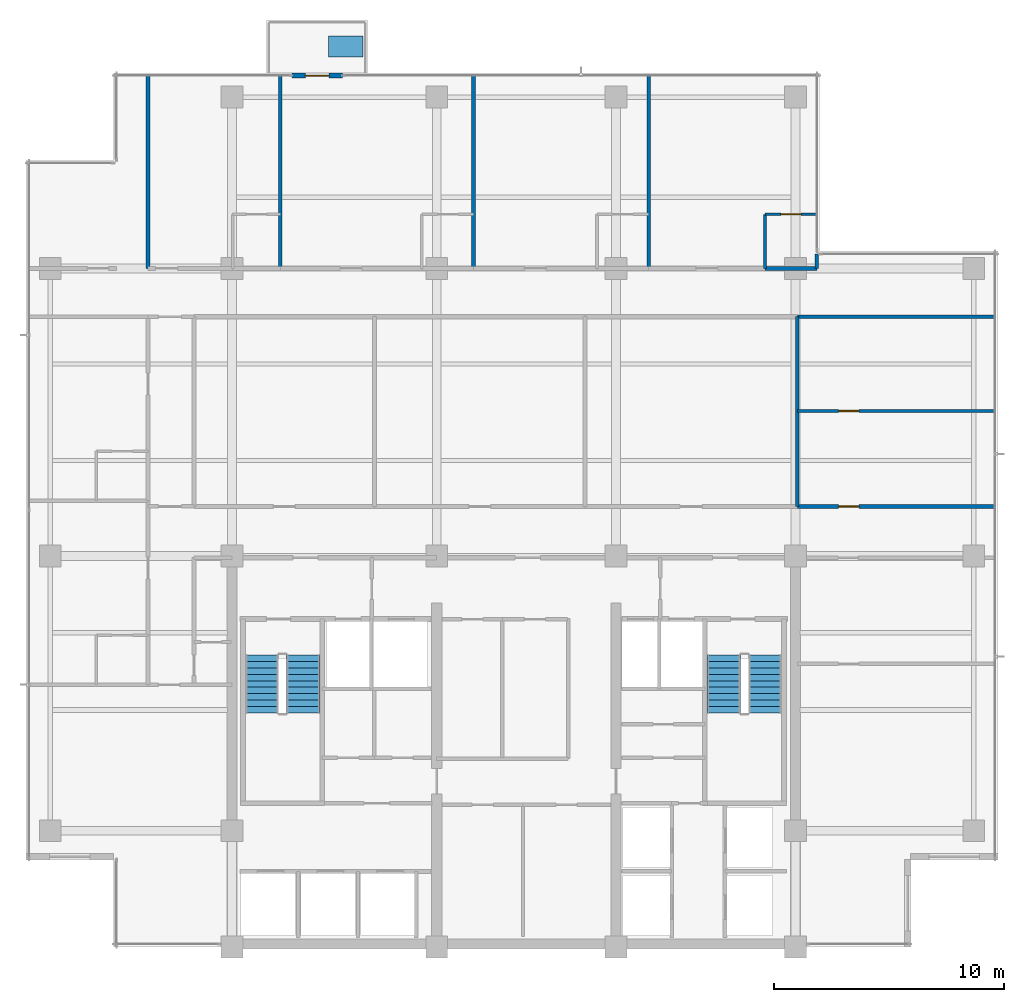
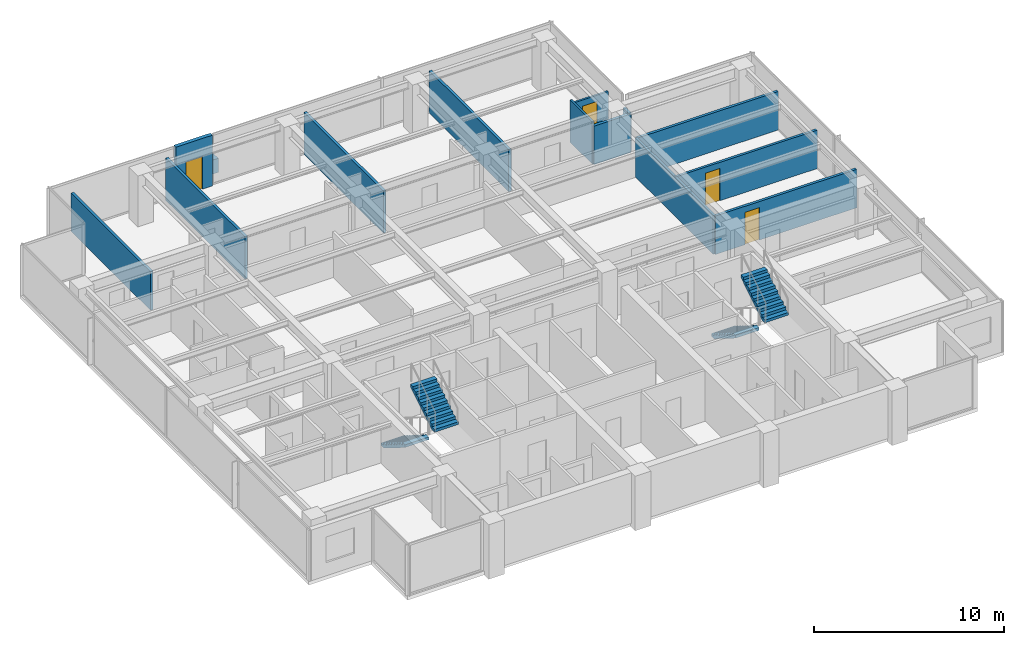
# One storey, part 10 of 14: 13 walls, 4 doors, 4 stair flights, 1 discrete accessory, 4 openings, 2 elements without a shape of their own.
"""IFC4 building model written with IfcOpenShell, lengths in metres."""

from ifc_helpers import new_model, si_unit, direction, frame, frame_2d, origin, place, context, subcontext, project, spatial, polyline, rectangle, outline, extrude, material, layer, layer_set, type_object, element, fill, aggregate, save


model = new_model("IFC4")

# Units and contexts
model_context = context("Model", 3, precision=1e-05, world=origin(), true_north=direction((0.0, 1.0)))
body_context = subcontext(model_context, "Body", "Model", "MODEL_VIEW")
ifc_project = project(units=[si_unit("LENGTHUNIT", "METRE"), si_unit("AREAUNIT", "SQUARE_METRE"), si_unit("VOLUMEUNIT", "CUBIC_METRE"), si_unit("PLANEANGLEUNIT", "RADIAN"), si_unit("MASSUNIT", "GRAM", prefix="KILO")], contexts=[model_context])

# Site, building, storey
site_placement = place(None, origin())
site = spatial("IfcSite", under=ifc_project, at=site_placement, CompositionType="ELEMENT")
building_placement = place(site_placement, origin())
building = spatial("IfcBuilding", under=site, at=building_placement, Name="Qalmaran Belvedere Hotel", CompositionType="ELEMENT")
storey_placement = place(building_placement, frame((0.0, 0.0, 210.89990234375)))
storey = spatial("IfcBuildingStorey", under=building, at=storey_placement, Name="L53", CompositionType="ELEMENT", Elevation=210.89990234375)

# Wall, opening, door
ifc_material_1 = material(Name="Anodised Bronze Cladding")
ifc_layer_1 = layer(ifc_material_1, 0.22509765625, Name="Anodised Bronze Cladding")
ifc_layer_set_1 = layer_set([ifc_layer_1], Name="Anodised Bronze Cladding")
wall_type_1 = type_object("IfcWallType", Name="WL-BAL-PORT-225", PredefinedType="SOLIDWALL", material=ifc_layer_set_1)
wall_1_placement = place(storey_placement, frame((22.89990234375, 41.3798828125, 0.0), z_axis=(0.0, 0.0, 1.0), x_axis=(1.0, 0.0, 0.0)))
wall_1 = element("IfcWall", 1, at=wall_1_placement, inside=storey, type_object=wall_type_1, Name="L53 Tree Balcony Door Portal", PredefinedType="SOLIDWALL", context=body_context, shape_type="SweptSolid", body=[
    extrude(rectangle(XDim=2.2001953125, YDim=0.22509765625, at=frame_2d((1.10009765625, 0.0))), origin(), (0.0, 0.0, 1.0), 3.260009765625),
])
opening_1_placement = place(wall_1_placement, frame((0.590087890625, 0.0, 0.0)))
opening_1 = element("IfcOpeningElement", 2, at=opening_1_placement, cuts=wall_1, Name="Opening BL-102", PredefinedType="OPENING", context=body_context, shape_type="SweptSolid", body=[
    extrude(rectangle(XDim=1.02001953125, YDim=2.10009765625, at=frame_2d((0.510009765625, 1.050048828125))), frame((0.0, 0.12255859375, 0.0), z_axis=(0.0, -1.0, 0.0), x_axis=(1.0, 0.0, 0.0)), (0.0, 0.0, 1.0), 0.2451171875),
])
ifc_material_2 = material(Name="Anodised Bronze Aluminium", Category="aluminium")
door_type_1 = type_object("IfcDoorType", Name="DR-BAL-1020X2100", OperationType="NOTDEFINED", PredefinedType="DOOR", material=ifc_material_2)
door_1_placement = place(opening_1_placement, origin())
door_1 = element("IfcDoor", 3, at=door_1_placement, inside=storey, type_object=door_type_1, Name="L53 Planted Tree Balcony Door", OperationType="SINGLE_SWING_RIGHT", OverallHeight=2.10009765625, OverallWidth=1.02001953125, PredefinedType="DOOR", context=body_context, shape_type="SweptSolid", body=[
    extrude(rectangle(XDim=1.02001953125, YDim=2.10009765625, at=frame_2d((0.510009765625, 1.050048828125))), frame((0.0, 0.02490234375, 0.0), z_axis=(0.0, -1.0, 0.0), x_axis=(1.0, 0.0, 0.0)), (0.0, 0.0, 1.0), 0.050048828125),
])
fill(opening_1, door_1)

ifc_material_3 = material(Name="Moisture-Resistant Gypsum")
ifc_layer_2 = layer(ifc_material_3, 0.1201171875, Name="Moisture-Resistant Gypsum")
ifc_layer_set_2 = layer_set([ifc_layer_2], Name="Moisture-Resistant Gypsum")
wall_type_2 = type_object("IfcWallType", Name="WL-INT-120-BATH", PredefinedType="PARTITIONING", material=ifc_layer_set_2)
wall_2_placement = place(storey_placement, frame((43.47998046875, 35.35009765625, 0.0), z_axis=(0.0, 0.0, 1.0), x_axis=(1.0, 0.0, 0.0)))
wall_2 = element("IfcWall", 4, at=wall_2_placement, inside=storey, type_object=wall_type_2, Name="L53 Partition WL-L53-NBN03", PredefinedType="PARTITIONING", context=body_context, shape_type="SweptSolid", body=[
    extrude(rectangle(XDim=2.25, YDim=0.1201171875, at=frame_2d((1.125, 0.0))), origin(), (0.0, 0.0, 1.0), 2.47216796875),
])
opening_2_placement = place(wall_2_placement, frame((1.56494140625, 0.0, 0.0), z_axis=(0.0, 0.0, 1.0), x_axis=(-1.0, 0.0, 0.0)))
opening_2 = element("IfcOpeningElement", 5, at=opening_2_placement, cuts=wall_2, Name="Opening D-BATH", PredefinedType="OPENING", context=body_context, shape_type="SweptSolid", body=[
    extrude(rectangle(XDim=0.8798828125, YDim=2.080078125, at=frame_2d((0.43994140625, 1.0400390625))), frame((0.0, 0.070068359375, 0.0), z_axis=(0.0, -1.0, 0.0), x_axis=(1.0, 0.0, 0.0)), (0.0, 0.0, 1.0), 0.14013671875),
])
ifc_material_4 = material(Name="Engineered Oak Veneer")
door_type_2 = type_object("IfcDoorType", Name="DR-INT-BATH-880X2080", OperationType="NOTDEFINED", PredefinedType="DOOR", material=ifc_material_4)
door_2_placement = place(opening_2_placement, origin())
door_2 = element("IfcDoor", 6, at=door_2_placement, inside=storey, type_object=door_type_2, Name="L53 Ensuite Bathroom Door N04", OperationType="SINGLE_SWING_RIGHT", OverallHeight=2.080078125, OverallWidth=0.8798828125, PredefinedType="DOOR", context=body_context, shape_type="SweptSolid", body=[
    extrude(rectangle(XDim=0.8798828125, YDim=2.080078125, at=frame_2d((0.43994140625, 1.0400390625))), frame((0.0, 0.02490234375, 0.0), z_axis=(0.0, -1.0, 0.0), x_axis=(1.0, 0.0, 0.0)), (0.0, 0.0, 1.0), 0.050048828125),
])
fill(opening_2, door_2)

# Wall
wall_3_placement = place(storey_placement, frame((43.47998046875, 33.0, 0.0), z_axis=(0.0, 0.0, 1.0), x_axis=(0.0, 1.0, 0.0)))
element("IfcWall", 7, at=wall_3_placement, inside=storey, type_object=wall_type_2, Name="L53 Partition WL-L53-NBS03", PredefinedType="PARTITIONING", context=body_context, shape_type="SweptSolid", body=[
    extrude(rectangle(XDim=2.35009765625, YDim=0.1201171875, at=frame_2d((1.175048828125, 0.0))), origin(), (0.0, 0.0, 1.0), 2.7060546875),
])

# Wall, opening, door
ifc_material_5 = material(Name="Gypsum Stud Partition")
ifc_layer_3 = layer(ifc_material_5, 0.14990234375, Name="Gypsum Stud Partition")
ifc_layer_set_3 = layer_set([ifc_layer_3], Name="Gypsum Stud Partition")
wall_type_3 = type_object("IfcWallType", Name="WL-INT-150-EI60", PredefinedType="PARTITIONING", material=ifc_layer_set_3)
wall_4_placement = place(storey_placement, frame((44.8798828125, 26.800048828125, 0.0), z_axis=(0.0, 0.0, 1.0), x_axis=(1.0, 0.0, 0.0)))
wall_4 = element("IfcWall", 8, at=wall_4_placement, inside=storey, type_object=wall_type_3, Name="L53 Partition WL-L53-ECEH2", PredefinedType="PARTITIONING", context=body_context, shape_type="SweptSolid", body=[
    extrude(rectangle(XDim=8.60009765625, YDim=0.14990234375, at=frame_2d((4.300048828125, 0.0))), origin(), (0.0, 0.0, 1.0), 2.47216796875),
])
opening_3_placement = place(wall_4_placement, frame((1.800048828125, 0.0, 0.0)))
opening_3 = element("IfcOpeningElement", 9, at=opening_3_placement, cuts=wall_4, Name="Opening FD60B", PredefinedType="OPENING", context=body_context, shape_type="SweptSolid", body=[
    extrude(rectangle(XDim=0.8798828125, YDim=2.080078125, at=frame_2d((0.43994140625, 1.0400390625))), frame((0.0, 0.0849609375, 0.0), z_axis=(0.0, -1.0, 0.0), x_axis=(1.0, 0.0, 0.0)), (0.0, 0.0, 1.0), 0.169921875),
])
ifc_material_6 = material(Name="Steel S355JR", Category="steel")
door_type_3 = type_object("IfcDoorType", Name="DR-FD60B-880X2080", OperationType="NOTDEFINED", PredefinedType="DOOR", material=ifc_material_6)
door_3_placement = place(opening_3_placement, origin())
door_3 = element("IfcDoor", 10, at=door_3_placement, inside=storey, type_object=door_type_3, Name="L53 East Meditation Door", OperationType="SINGLE_SWING_RIGHT", OverallHeight=2.080078125, OverallWidth=0.8798828125, PredefinedType="DOOR", context=body_context, shape_type="SweptSolid", body=[
    extrude(rectangle(XDim=0.8798828125, YDim=2.080078125, at=frame_2d((0.43994140625, 1.0400390625))), frame((0.0, 0.02490234375, 0.0), z_axis=(0.0, -1.0, 0.0), x_axis=(1.0, 0.0, 0.0)), (0.0, 0.0, 1.0), 0.050048828125),
])
fill(opening_3, door_3)

ifc_layer_4 = layer(ifc_material_5, 0.159912109375, Name="Gypsum Stud Partition")
ifc_layer_set_4 = layer_set([ifc_layer_4], Name="Gypsum Stud Partition")
wall_type_4 = type_object("IfcWallType", Name="WL-INT-160-EI60", PredefinedType="PARTITIONING", material=ifc_layer_set_4)
wall_5_placement = place(storey_placement, frame((44.8798828125, 22.64990234375, 0.0), z_axis=(0.0, 0.0, 1.0), x_axis=(1.0, 0.0, 0.0)))
wall_5 = element("IfcWall", 11, at=wall_5_placement, inside=storey, type_object=wall_type_4, Name="L53 Partition WL-L53-ECE2N", PredefinedType="PARTITIONING", context=body_context, shape_type="SweptSolid", body=[
    extrude(rectangle(XDim=8.60009765625, YDim=0.159912109375, at=frame_2d((4.300048828125, 0.0))), origin(), (0.0, 0.0, 1.0), 2.47216796875),
])
opening_4_placement = place(wall_5_placement, frame((1.800048828125, 0.0, 0.0)))
opening_4 = element("IfcOpeningElement", 12, at=opening_4_placement, cuts=wall_5, Name="Opening FD60B", PredefinedType="OPENING", context=body_context, shape_type="SweptSolid", body=[
    extrude(rectangle(XDim=0.8798828125, YDim=2.080078125, at=frame_2d((0.43994140625, 1.0400390625))), frame((0.0, 0.08984375, 0.0), z_axis=(0.0, -1.0, 0.0), x_axis=(1.0, 0.0, 0.0)), (0.0, 0.0, 1.0), 0.179931640625),
])
door_4_placement = place(opening_4_placement, origin())
door_4 = element("IfcDoor", 13, at=door_4_placement, inside=storey, type_object=door_type_3, Name="L53 East Fitness Door", OperationType="SINGLE_SWING_RIGHT", OverallHeight=2.080078125, OverallWidth=0.8798828125, PredefinedType="DOOR", context=body_context, shape_type="SweptSolid", body=[
    extrude(rectangle(XDim=0.8798828125, YDim=2.080078125, at=frame_2d((0.43994140625, 1.0400390625))), frame((0.0, 0.02490234375, 0.0), z_axis=(0.0, -1.0, 0.0), x_axis=(1.0, 0.0, 0.0)), (0.0, 0.0, 1.0), 0.050048828125),
])
fill(opening_4, door_4)

# Walls
wall_6_placement = place(storey_placement, frame((44.8798828125, 30.89990234375, 0.0), z_axis=(0.0, 0.0, 1.0), x_axis=(1.0, 0.0, 0.0)))
element("IfcWall", 14, at=wall_6_placement, inside=storey, type_object=wall_type_4, Name="L53 Partition WL-L53-ECEN", PredefinedType="PARTITIONING", context=body_context, shape_type="SweptSolid", body=[
    extrude(rectangle(XDim=8.60009765625, YDim=0.159912109375, at=frame_2d((4.300048828125, 0.0))), origin(), (0.0, 0.0, 1.0), 2.47216796875),
])
wall_7_placement = place(storey_placement, frame((44.8798828125, 22.64990234375, 0.0), z_axis=(0.0, 0.0, 1.0), x_axis=(0.0, 1.0, 0.0)))
element("IfcWall", 15, at=wall_7_placement, inside=storey, type_object=wall_type_4, Name="L53 Partition WL-L53-MIDVR3", PredefinedType="PARTITIONING", context=body_context, shape_type="SweptSolid", body=[
    extrude(rectangle(XDim=8.25, YDim=0.159912109375, at=frame_2d((4.125, 0.0))), origin(), (0.0, 0.0, 1.0), 2.47216796875),
])
wall_8_placement = place(storey_placement, frame((16.64990234375, 33.0, 0.0), z_axis=(0.0, 0.0, 1.0), x_axis=(0.0, 1.0, 0.0)))
element("IfcWall", 16, at=wall_8_placement, inside=storey, type_object=wall_type_4, Name="L53 Partition WL-L53-NUL", PredefinedType="PARTITIONING", context=body_context, shape_type="SweptSolid", body=[
    extrude(rectangle(XDim=8.3798828125, YDim=0.159912109375, at=frame_2d((4.18994140625, 0.0))), origin(), (0.0, 0.0, 1.0), 2.47216796875),
])
for number, where, z_axis, x_axis, name in (
    (17, (22.39990234375, 33.0, 0.0), (0.0, 0.0, 1.0), (0.0, 1.0, 0.0), "L53 Partition WL-L53-NUR00"),
    (18, (30.8046875, 33.0, 0.0), (0.0, 0.0, 1.0), (0.0, 1.0, 0.0), "L53 Partition WL-L53-NUR01"),
    (19, (38.419677734375, 33.0, 0.0), (0.0, 0.0, 1.0), (0.0, 1.0, 0.0), "L53 Partition WL-L53-NUR02"),
):
    element("IfcWall", number, at=place(storey_placement, frame(where, z_axis=z_axis, x_axis=x_axis)), inside=storey, type_object=wall_type_4, Name=name, PredefinedType="PARTITIONING", context=body_context, shape_type="SweptSolid", body=[
        extrude(rectangle(XDim=8.3798828125, YDim=0.159912109375, at=frame_2d((4.18994140625, 0.0))), origin(), (0.0, 0.0, 1.0), 2.7060546875),
    ])
wall_9_placement = place(storey_placement, frame((45.72998046875, 33.0, 0.0), z_axis=(0.0, 0.0, 1.0), x_axis=(0.0, 1.0, 0.0)))
element("IfcWall", 20, at=wall_9_placement, inside=storey, type_object=wall_type_4, Name="L53 Partition WL-L53-NUR03", PredefinedType="PARTITIONING", context=body_context, shape_type="SweptSolid", body=[
    extrude(rectangle(XDim=0.6298828125, YDim=0.159912109375, at=frame_2d((0.31494140625, 0.0))), origin(), (0.0, 0.0, 1.0), 2.47216796875),
])
ifc_layer_5 = layer(ifc_material_5, 0.179931640625, Name="Gypsum Stud Partition")
ifc_layer_set_5 = layer_set([ifc_layer_5], Name="Gypsum Stud Partition")
wall_type_5 = type_object("IfcWallType", Name="WL-INT-180-EI60", PredefinedType="PARTITIONING", material=ifc_layer_set_5)
wall_10_placement = place(storey_placement, frame((43.47998046875, 33.0, 0.0), z_axis=(0.0, 0.0, 1.0), x_axis=(1.0, 0.0, 0.0)))
element("IfcWall", 21, at=wall_10_placement, inside=storey, type_object=wall_type_5, Name="L53 Partition WL-L53-NBC03", PredefinedType="PARTITIONING", context=body_context, shape_type="SweptSolid", body=[
    extrude(rectangle(XDim=2.25, YDim=0.179931640625, at=frame_2d((1.125, 0.0))), origin(), (0.0, 0.0, 1.0), 2.47216796875),
])

# Stair, stair flights
ifc_material_7 = material(Name="Concrete C40/50", Category="concrete")
stair_type_1 = type_object("IfcStairType", Name="STR-ST-1-1450-R1750", PredefinedType="HALF_TURN_STAIR", material=ifc_material_7)
stair_1_placement = place(storey_placement, origin())
stair_1 = element("IfcStair", 22, at=stair_1_placement, inside=storey, type_object=stair_type_1, Name="L53 West Core Exit Stair ST-1", PredefinedType="HALF_TURN_STAIR")
ifc_layer_6 = layer(ifc_material_7, 0.14990234375, Name="Concrete C40/50")
ifc_layer_set_6 = layer_set([ifc_layer_6], Name="Concrete C40/50")
stair_flight_type_1 = type_object("IfcStairFlightType", Name="STF-ST-1-1450-R1750", PredefinedType="STRAIGHT", material=ifc_layer_set_6)
stair_flight_1_placement = place(storey_placement, frame((21.60498046875, 16.18994140625, 0.0), z_axis=(0.0, 0.0, 1.0), x_axis=(0.0, -1.0, 0.0)))
stair_flight_1 = element("IfcStairFlight", 23, at=stair_flight_1_placement, type_object=stair_flight_type_1, Name="ST-1 flight 1", NumberOfRisers=10, NumberOfTreads=9, PredefinedType="STRAIGHT", RiserHeight=0.175, TreadLength=0.28, context=body_context, shape_type="SweptSolid", body=[
    extrude(outline(polyline([(0.0, 0.0), (0.0, 0.175048828125), (0.280029296875, 0.175048828125), (0.280029296875, 0.35009765625), (0.56005859375, 0.35009765625), (0.56005859375, 0.52490234375), (0.840087890625, 0.52490234375), (0.840087890625, 0.699951171875), (1.1201171875, 0.699951171875), (1.1201171875, 0.875), (1.39990234375, 0.875), (1.39990234375, 1.050048828125), (1.679931640625, 1.050048828125), (1.679931640625, 1.22509765625), (1.9599609375, 1.22509765625), (1.9599609375, 1.39990234375), (2.239990234375, 1.39990234375), (2.239990234375, 1.574951171875), (2.52001953125, 1.574951171875), (2.52001953125, 1.75), (2.52001953125, 1.398193359375), (0.28271484375, 0.0), (0.0, 0.0)])), frame((0.0, 0.72509765625, 0.0), z_axis=(0.0, -1.0, 0.0), x_axis=(1.0, 0.0, 0.0)), (0.0, 0.0, 1.0), 1.449951171875),
])
stair_flight_2_placement = place(storey_placement, frame((23.39501953125, 13.669921875, 1.75), z_axis=(0.0, 0.0, 1.0), x_axis=(0.0, 1.0, 0.0)))
stair_flight_2 = element("IfcStairFlight", 24, at=stair_flight_2_placement, type_object=stair_flight_type_1, Name="ST-1 flight 2", NumberOfRisers=10, NumberOfTreads=9, PredefinedType="STRAIGHT", RiserHeight=0.175, TreadLength=0.28, context=body_context, shape_type="SweptSolid", body=[
    extrude(outline(polyline([(0.0, 0.0), (0.0, 0.175048828125), (0.280029296875, 0.175048828125), (0.280029296875, 0.35009765625), (0.56005859375, 0.35009765625), (0.56005859375, 0.52490234375), (0.840087890625, 0.52490234375), (0.840087890625, 0.699951171875), (1.1201171875, 0.699951171875), (1.1201171875, 0.875), (1.39990234375, 0.875), (1.39990234375, 1.050048828125), (1.679931640625, 1.050048828125), (1.679931640625, 1.22509765625), (1.9599609375, 1.22509765625), (1.9599609375, 1.39990234375), (2.239990234375, 1.39990234375), (2.239990234375, 1.574951171875), (2.52001953125, 1.574951171875), (2.52001953125, 1.75), (2.52001953125, 1.398193359375), (0.28271484375, 0.0), (0.0, 0.0)])), frame((0.0, 0.72509765625, 0.0), z_axis=(0.0, -1.0, 0.0), x_axis=(1.0, 0.0, 0.0)), (0.0, 0.0, 1.0), 1.449951171875),
])
aggregate(stair_1, [stair_flight_1, stair_flight_2])

stair_type_2 = type_object("IfcStairType", Name="STR-ST-2-1450-R1750", PredefinedType="HALF_TURN_STAIR", material=ifc_material_7)
stair_2_placement = place(storey_placement, origin())
stair_2 = element("IfcStair", 25, at=stair_2_placement, inside=storey, type_object=stair_type_2, Name="L53 East Core Exit Stair ST-2", PredefinedType="HALF_TURN_STAIR")
ifc_layer_7 = layer(ifc_material_7, 0.14990234375, Name="Concrete C40/50")
ifc_layer_set_7 = layer_set([ifc_layer_7], Name="Concrete C40/50")
stair_flight_type_2 = type_object("IfcStairFlightType", Name="STF-ST-2-1450-R1750", PredefinedType="STRAIGHT", material=ifc_layer_set_7)
stair_flight_3_placement = place(storey_placement, frame((41.68505859375, 16.18994140625, 0.0), z_axis=(0.0, 0.0, 1.0), x_axis=(0.0, -1.0, 0.0)))
stair_flight_3 = element("IfcStairFlight", 26, at=stair_flight_3_placement, type_object=stair_flight_type_2, Name="ST-2 flight 1", NumberOfRisers=10, NumberOfTreads=9, PredefinedType="STRAIGHT", RiserHeight=0.175, TreadLength=0.28, context=body_context, shape_type="SweptSolid", body=[
    extrude(outline(polyline([(0.0, 0.0), (0.0, 0.175048828125), (0.280029296875, 0.175048828125), (0.280029296875, 0.35009765625), (0.56005859375, 0.35009765625), (0.56005859375, 0.52490234375), (0.840087890625, 0.52490234375), (0.840087890625, 0.699951171875), (1.1201171875, 0.699951171875), (1.1201171875, 0.875), (1.39990234375, 0.875), (1.39990234375, 1.050048828125), (1.679931640625, 1.050048828125), (1.679931640625, 1.22509765625), (1.9599609375, 1.22509765625), (1.9599609375, 1.39990234375), (2.239990234375, 1.39990234375), (2.239990234375, 1.574951171875), (2.52001953125, 1.574951171875), (2.52001953125, 1.75), (2.52001953125, 1.398193359375), (0.28271484375, 0.0), (0.0, 0.0)])), frame((0.0, 0.72509765625, 0.0), z_axis=(0.0, -1.0, 0.0), x_axis=(1.0, 0.0, 0.0)), (0.0, 0.0, 1.0), 1.449951171875),
])
stair_flight_4_placement = place(storey_placement, frame((43.47509765625, 13.669921875, 1.75), z_axis=(0.0, 0.0, 1.0), x_axis=(0.0, 1.0, 0.0)))
stair_flight_4 = element("IfcStairFlight", 27, at=stair_flight_4_placement, type_object=stair_flight_type_2, Name="ST-2 flight 2", NumberOfRisers=10, NumberOfTreads=9, PredefinedType="STRAIGHT", RiserHeight=0.175, TreadLength=0.28, context=body_context, shape_type="SweptSolid", body=[
    extrude(outline(polyline([(0.0, 0.0), (0.0, 0.175048828125), (0.280029296875, 0.175048828125), (0.280029296875, 0.35009765625), (0.56005859375, 0.35009765625), (0.56005859375, 0.52490234375), (0.840087890625, 0.52490234375), (0.840087890625, 0.699951171875), (1.1201171875, 0.699951171875), (1.1201171875, 0.875), (1.39990234375, 0.875), (1.39990234375, 1.050048828125), (1.679931640625, 1.050048828125), (1.679931640625, 1.22509765625), (1.9599609375, 1.22509765625), (1.9599609375, 1.39990234375), (2.239990234375, 1.39990234375), (2.239990234375, 1.574951171875), (2.52001953125, 1.574951171875), (2.52001953125, 1.75), (2.52001953125, 1.398193359375), (0.28271484375, 0.0), (0.0, 0.0)])), frame((0.0, 0.72509765625, 0.0), z_axis=(0.0, -1.0, 0.0), x_axis=(1.0, 0.0, 0.0)), (0.0, 0.0, 1.0), 1.449951171875),
])
aggregate(stair_2, [stair_flight_3, stair_flight_4])

# Discrete accessory
discrete_accessory_type = type_object("IfcDiscreteAccessoryType", Name="PLN-BAL-1500", PredefinedType="USERDEFINED", material=ifc_material_7)
discrete_accessory_placement = place(storey_placement, origin())
element("IfcDiscreteAccessory", 28, at=discrete_accessory_placement, inside=storey, type_object=discrete_accessory_type, Name="L53 Sky Tree Planter", ObjectType="PLANTER", PredefinedType="USERDEFINED", context=body_context, shape_type="SweptSolid", body=[
    extrude(outline(polyline([(24.5, 42.199951171875), (26.0, 42.199951171875), (26.0, 43.10009765625), (24.5, 43.10009765625), (24.5, 42.199951171875)])), origin(), (0.0, 0.0, 1.0), 0.900146484375),
])

save(model, "model.ifc")
